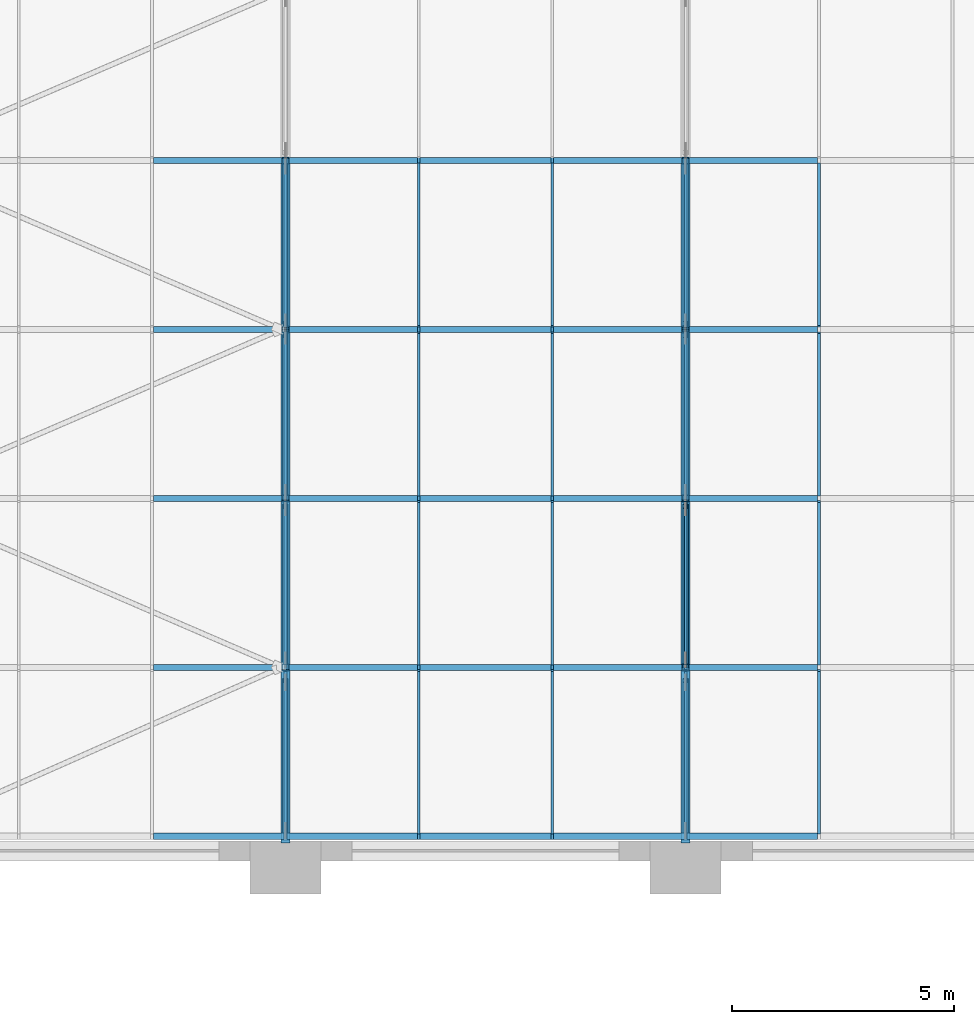
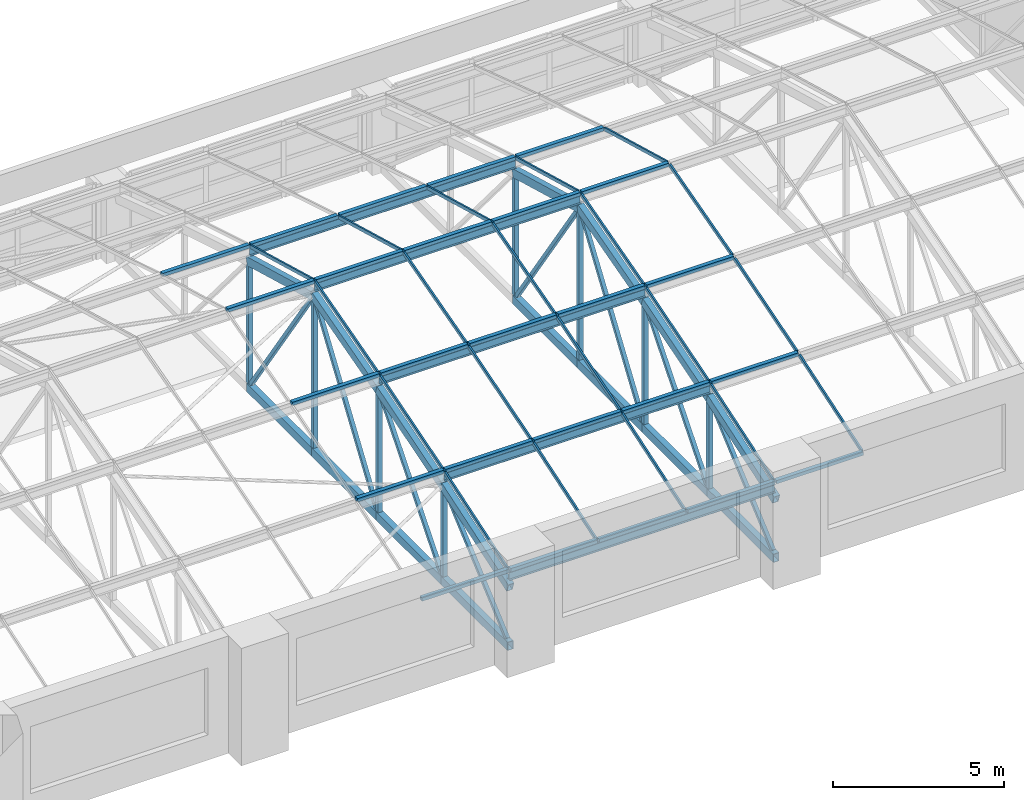
# One storey, part 18 of 82: 82 members, 1 element without a shape of its own.
"""IFC4 building model written with IfcOpenShell, lengths in metres."""

import ifcopenshell
import ifcopenshell.guid

model = None  # the IFC model being written
_history = None  # IfcOwnerHistory: only IFC2X3 demands one
_inside = {}  # id of a spatial element -> (the spatial element, [elements in it])
_under = {}  # id of a project, library or spatial element -> (it, [spatial elements below it])
_declared = {}  # id of a project -> (the project, [libraries it declares])
_typed = {}  # id of a type object -> (the type object, [elements of that type])
_made_of = {}  # id of a material, layer set ... -> (it, [elements and type objects made of it])


def new_model(schema):
    """Start an empty IFC model of exactly this schema.

    Asked for "IFC4X3", IfcOpenShell would pick the latest addendum, in which some entities
    have other attributes; the version numbers below select the first issue.
    IFC2X3 requires an IfcOwnerHistory on every rooted entity: one is made here for all.
    """
    global model, _history
    if schema == "IFC4X3":
        model = ifcopenshell.file(schema_version=(4, 3, 0, 0))
    else:
        model = ifcopenshell.file(schema=schema)
    _inside.clear()
    _under.clear()
    _declared.clear()
    _typed.clear()
    _made_of.clear()
    _history = None
    if model.schema == "IFC2X3":
        org = make("IfcOrganization", Name="unknown")
        user = make(
            "IfcPersonAndOrganization",
            ThePerson=make("IfcPerson", FamilyName="unknown"),
            TheOrganization=org,
        )
        app = make(
            "IfcApplication",
            ApplicationDeveloper=org,
            Version="unknown",
            ApplicationFullName="unknown",
            ApplicationIdentifier="unknown",
        )
        _history = make(
            "IfcOwnerHistory",
            OwningUser=user,
            OwningApplication=app,
            ChangeAction="ADDED",
            CreationDate=0,
        )
    return model


def make(cls, **values):
    """One entity of the class cls with the attributes given. An attribute that is None is left unset."""
    return model.create_entity(
        cls, **{name: value for name, value in values.items() if value is not None}
    )


def rooted(cls, **values):
    """An entity with a GlobalId (a new one), such as an element, a storey or a relation."""
    return make(cls, GlobalId=ifcopenshell.guid.new(), OwnerHistory=_history, **values)


def si_unit(unit_type, name, prefix=None):
    """IfcSIUnit, for example si_unit("LENGTHUNIT", "METRE", prefix="MILLI")."""
    return make("IfcSIUnit", UnitType=unit_type, Prefix=prefix, Name=name)


def assignment(units):
    """IfcUnitAssignment: the units of a project."""
    return None if units is None else make("IfcUnitAssignment", Units=units)


def point(xyz):
    """IfcCartesianPoint."""
    return None if xyz is None else make("IfcCartesianPoint", Coordinates=xyz)


def direction(xyz):
    """IfcDirection."""
    return None if xyz is None else make("IfcDirection", DirectionRatios=xyz)


def frame(location, z_axis=None, x_axis=None):
    """IfcAxis2Placement3D, a coordinate frame: its origin and axes. An axis left out is left unset."""
    return make(
        "IfcAxis2Placement3D",
        Location=point(location),
        Axis=direction(z_axis),
        RefDirection=direction(x_axis),
    )


def frame_2d(location, x_axis=None):
    """IfcAxis2Placement2D, a coordinate frame in the plane: its origin and x axis."""
    return make(
        "IfcAxis2Placement2D", Location=point(location), RefDirection=direction(x_axis)
    )


def origin():
    """The frame at (0, 0, 0) with its axes left unset."""
    return frame((0.0, 0.0, 0.0))


def origin_2d():
    """The frame at (0, 0) in the plane with its x axis left unset."""
    return frame_2d((0.0, 0.0))


def place(relative_to, where):
    """IfcLocalPlacement: puts the frame where relative to a parent placement (None: the world)."""
    return make(
        "IfcLocalPlacement", PlacementRelTo=relative_to, RelativePlacement=where
    )


def context(
    kind, dimensions, precision=None, world=None, true_north=None, identifier=None
):
    """IfcGeometricRepresentationContext, for example the 3D "Model" context."""
    return make(
        "IfcGeometricRepresentationContext",
        ContextIdentifier=identifier,
        ContextType=kind,
        CoordinateSpaceDimension=dimensions,
        Precision=precision,
        WorldCoordinateSystem=world,
        TrueNorth=true_north,
    )


def subcontext(parent, identifier, kind, view, scale=None):
    """IfcGeometricRepresentationSubContext, for example "Body" below "Model"."""
    return make(
        "IfcGeometricRepresentationSubContext",
        ContextIdentifier=identifier,
        ContextType=kind,
        ParentContext=parent,
        TargetScale=scale,
        TargetView=view,
    )


def project(units=None, contexts=None):
    """IfcProject with its units and contexts."""
    return rooted(
        "IfcProject",
        Name="project",
        RepresentationContexts=contexts,
        UnitsInContext=assignment(units),
    )


def spatial(cls, under=None, at=None, **own):
    """A site, building, storey or space (cls), placed at a placement, below another one or the project."""
    s = rooted(cls, ObjectPlacement=at, **own)
    if under is not None:
        _under.setdefault(under.id(), (under, []))[1].append(s)
    return s


def profile(cls, at=None, kind="AREA", **sizes):
    """A parametric profile (cls). Its sizes go by their IFC names, for example OverallWidth=200.0."""
    return make(cls, ProfileType=kind, Position=at, **sizes)


def rectangle(**sizes):
    """IfcRectangleProfileDef."""
    return profile("IfcRectangleProfileDef", **sizes)


def hollow_rectangle(**sizes):
    """IfcRectangleHollowProfileDef."""
    return profile("IfcRectangleHollowProfileDef", **sizes)


def i_section(**sizes):
    """IfcIShapeProfileDef."""
    return profile("IfcIShapeProfileDef", **sizes)


def extrude(swept, where, along, depth):
    """IfcExtrudedAreaSolid: the profile swept, set in the frame where, extruded along a direction by depth."""
    return make(
        "IfcExtrudedAreaSolid",
        SweptArea=swept,
        Position=where,
        ExtrudedDirection=direction(along),
        Depth=depth,
    )


def shape(context_of_items, identifier, shape_type, items):
    """IfcShapeRepresentation: the items that make up one representation, for example the "Body"."""
    return make(
        "IfcShapeRepresentation",
        ContextOfItems=context_of_items,
        RepresentationIdentifier=identifier,
        RepresentationType=shape_type,
        Items=items,
    )


def material(Name=None, Category=None):
    """IfcMaterial."""
    return make("IfcMaterial", Name=Name, Category=Category)


def material_profile(
    of_material, cross_section, Name=None, Category=None, Priority=None
):
    """IfcMaterialProfile: a cross section and its material."""
    return make(
        "IfcMaterialProfile",
        Name=Name,
        Material=of_material,
        Profile=cross_section,
        Priority=Priority,
        Category=Category,
    )


def profile_set(profiles, Name=None, composite=None):
    """IfcMaterialProfileSet."""
    return make(
        "IfcMaterialProfileSet",
        Name=Name,
        MaterialProfiles=profiles,
        CompositeProfile=composite,
    )


def made_of(thing, what):
    """Note that an element or type object is made of a material, layer set ...; save() writes the relation."""
    if what is not None:
        _made_of.setdefault(what.id(), (what, []))[1].append(thing)
    return thing


def type_object(cls, material=None, **own):
    """A type object (cls), such as IfcWallType, which elements share."""
    return made_of(rooted(cls, **own), material)


def element(
    cls,
    number,
    at=None,
    inside=None,
    cuts=None,
    type_object=None,
    material=None,
    context=None,
    identifier="Body",
    shape_type=None,
    held_by="IfcProductDefinitionShape",
    body=None,
    shapes=None,
    **own,
):
    """One element of the class cls, such as IfcWall. Its Tag is "e" and its number.

    at: its placement. inside: the storey or other place that contains it. cuts: it is an
    opening in that element (IfcRelVoidsElement). A single representation is given by context,
    identifier, shape_type and body (its items); several are given by shapes. held_by: the class
    of the entity that holds the representations. save() writes the other relations.
    """
    e = rooted(cls, Tag="e%d" % number, ObjectPlacement=at, **own)
    if body is not None:
        shapes = [shape(context, identifier, shape_type, body)]
    if shapes is not None:
        e.Representation = make(held_by, Representations=shapes)
    if inside is not None:
        _inside.setdefault(inside.id(), (inside, []))[1].append(e)
    if cuts is not None:
        rooted(
            "IfcRelVoidsElement", RelatingBuildingElement=cuts, RelatedOpeningElement=e
        )
    if type_object is not None:
        _typed.setdefault(type_object.id(), (type_object, []))[1].append(e)
    return made_of(e, material)


def aggregate(whole, parts):
    """IfcRelAggregates: a whole, such as a stair, and the parts it consists of."""
    return rooted("IfcRelAggregates", RelatingObject=whole, RelatedObjects=parts)


def save(model, path):
    """Write the relations noted so far, then the file.

    IfcRelAggregates (storeys below a building ...), IfcRelContainedInSpatialStructure (elements
    in a storey), IfcRelDefinesByType, IfcRelAssociatesMaterial and IfcRelDeclares: one each for
    every whole, place, type object, material and project.
    """
    for whole, parts in _under.values():
        aggregate(whole, parts)
    for where, things in _inside.values():
        rooted(
            "IfcRelContainedInSpatialStructure",
            RelatedElements=things,
            RelatingStructure=where,
        )
    for kind, things in _typed.values():
        rooted("IfcRelDefinesByType", RelatedObjects=things, RelatingType=kind)
    for what, things in _made_of.values():
        rooted("IfcRelAssociatesMaterial", RelatedObjects=things, RelatingMaterial=what)
    for by, libraries in _declared.values():
        rooted("IfcRelDeclares", RelatingContext=by, RelatedDefinitions=libraries)
    model.write(path)


model = new_model("IFC4")

# Units and contexts
model_context = context("Model", 3, precision=1e-05, world=origin(), true_north=direction((0.0, 1.0)))
body_context = subcontext(model_context, "Body", "Model", "MODEL_VIEW")
ifc_project = project(units=[si_unit("LENGTHUNIT", "METRE"), si_unit("AREAUNIT", "SQUARE_METRE"), si_unit("VOLUMEUNIT", "CUBIC_METRE"), si_unit("PLANEANGLEUNIT", "RADIAN"), si_unit("MASSUNIT", "GRAM", prefix="KILO")], contexts=[model_context])

# Site, building, storey
site_placement = place(None, origin())
site = spatial("IfcSite", under=ifc_project, at=site_placement, CompositionType="ELEMENT")
building_placement = place(site_placement, origin())
building = spatial("IfcBuilding", under=site, at=building_placement, Name="Aravalli Gate Trade Fair Centre", CompositionType="ELEMENT")
storey_placement = place(building_placement, frame((0.0, 0.0, 19.199951171875)))
storey = spatial("IfcBuildingStorey", under=building, at=storey_placement, Name="L04", CompositionType="ELEMENT", Elevation=19.199951171875)

# Members
ifc_material_1 = material(Name="Steel E350", Category="steel")
ifc_material_profile_1 = material_profile(ifc_material_1, i_section(OverallWidth=0.139892578125, OverallDepth=0.300048828125, WebThickness=0.0078125, FlangeThickness=0.01318359375, at=origin_2d()), Name="ISMB 300")
ifc_profile_set_1 = profile_set([ifc_material_profile_1], Name="Steel E350")
member_type_1 = type_object("IfcMemberType", Name="ISMB 300 roof purlin", PredefinedType="PURLIN", material=ifc_profile_set_1)
for number, where, z_axis, x_axis, name in (
    (1, (78.0, 109.699951171875, 2.60302734375), (1.0, 0.0, 0.0), (0.0, 1.0, 0.0), "Vault purlin 09-10 F0"),
    (2, (78.0, 113.5, 3.851318359375), (1.0, 0.0, 0.0), (0.0, 1.0, 0.0), "Vault purlin 09-10 F1"),
    (3, (78.0, 117.300048828125, 4.999267578125), (1.0, 0.0, 0.0), (0.0, 1.0, 0.0), "Vault purlin 09-10 F2"),
    (4, (78.0, 121.10009765625, 6.030029296875), (1.0, 0.0, 0.0), (0.0, 1.0, 0.0), "Vault purlin 09-10 F3"),
    (5, (78.0, 124.89990234375, 4.999267578125), (1.0, 0.0, 0.0), (0.0, 1.0, 0.0), "Vault purlin 09-10 F4"),
):
    element("IfcMember", number, at=place(storey_placement, frame(where, z_axis=z_axis, x_axis=x_axis)), inside=storey, type_object=member_type_1, Name=name, PredefinedType="PURLIN", context=body_context, shape_type="SweptSolid", body=[
        extrude(i_section(OverallWidth=0.139892578125, OverallDepth=0.300048828125, WebThickness=0.0078125, FlangeThickness=0.01318359375, at=origin_2d()), origin(), (0.0, 0.0, 1.0), 9.0),
    ])
ifc_material_profile_2 = material_profile(ifc_material_1, hollow_rectangle(XDim=0.199951171875, YDim=0.300048828125, WallThickness=0.011962890625, at=origin_2d()), Name="RHS 300x200x12")
ifc_profile_set_2 = profile_set([ifc_material_profile_2], Name="Steel E350")
member_type_2 = type_object("IfcMemberType", Name="RHS 300x200x12 CT1 truss chord", PredefinedType="CHORD", material=ifc_profile_set_2)
member_1_placement = place(storey_placement, frame((78.0, 109.60009765625, 2.2392578125), z_axis=(0.0, 0.949918822061, 0.312496770373), x_axis=(-1.0, 0.0, 0.0)))
element("IfcMember", 6, at=member_1_placement, inside=storey, type_object=member_type_2, Name="Concourse vault truss CT1 line 09 top chord T1", PredefinedType="CHORD", context=body_context, shape_type="SweptSolid", body=[
    extrude(hollow_rectangle(XDim=0.199951171875, YDim=0.300048828125, WallThickness=0.011962890625, at=origin_2d()), origin(), (0.0, 0.0, 1.0), 4.10546875),
])
member_2_placement = place(storey_placement, frame((78.0, 109.60009765625, 0.150146484375), z_axis=(0.0, 1.0, 0.0), x_axis=(-1.0, 0.0, 0.0)))
element("IfcMember", 7, at=member_2_placement, inside=storey, type_object=member_type_2, Name="Concourse vault truss CT1 line 09 bottom chord B1", PredefinedType="CHORD", context=body_context, shape_type="SweptSolid", body=[
    extrude(hollow_rectangle(XDim=0.199951171875, YDim=0.300048828125, WallThickness=0.011962890625, at=origin_2d()), origin(), (0.0, 0.0, 1.0), 3.89990234375),
])
member_3_placement = place(storey_placement, frame((78.0, 113.5, 3.5234375), z_axis=(0.0, 0.957138110877, 0.289631898634), x_axis=(-1.0, 0.0, 0.0)))
element("IfcMember", 8, at=member_3_placement, inside=storey, type_object=member_type_2, Name="Concourse vault truss CT1 line 09 top chord T2", PredefinedType="CHORD", context=body_context, shape_type="SweptSolid", body=[
    extrude(hollow_rectangle(XDim=0.199951171875, YDim=0.300048828125, WallThickness=0.011962890625, at=origin_2d()), origin(), (0.0, 0.0, 1.0), 3.97021484375),
])
member_4_placement = place(storey_placement, frame((78.0, 113.5, 0.150146484375), z_axis=(0.0, 1.0, 0.0), x_axis=(-1.0, 0.0, 0.0)))
element("IfcMember", 9, at=member_4_placement, inside=storey, type_object=member_type_2, Name="Concourse vault truss CT1 line 09 bottom chord B2", PredefinedType="CHORD", context=body_context, shape_type="SweptSolid", body=[
    extrude(hollow_rectangle(XDim=0.199951171875, YDim=0.300048828125, WallThickness=0.011962890625, at=origin_2d()), origin(), (0.0, 0.0, 1.0), 3.800048828125),
])
member_5_placement = place(storey_placement, frame((78.0, 117.300048828125, 4.674560546875), z_axis=(0.0, 0.963894016224, 0.266286172166), x_axis=(-1.0, 0.0, 0.0)))
element("IfcMember", 10, at=member_5_placement, inside=storey, type_object=member_type_2, Name="Concourse vault truss CT1 line 09 top chord T3", PredefinedType="CHORD", context=body_context, shape_type="SweptSolid", body=[
    extrude(hollow_rectangle(XDim=0.199951171875, YDim=0.300048828125, WallThickness=0.011962890625, at=origin_2d()), origin(), (0.0, 0.0, 1.0), 3.9423828125),
])
member_6_placement = place(storey_placement, frame((78.0, 117.300048828125, 0.150146484375), z_axis=(0.0, 1.0, 0.0), x_axis=(-1.0, 0.0, 0.0)))
element("IfcMember", 11, at=member_6_placement, inside=storey, type_object=member_type_2, Name="Concourse vault truss CT1 line 09 bottom chord B3", PredefinedType="CHORD", context=body_context, shape_type="SweptSolid", body=[
    extrude(hollow_rectangle(XDim=0.199951171875, YDim=0.300048828125, WallThickness=0.011962890625, at=origin_2d()), origin(), (0.0, 0.0, 1.0), 3.800048828125),
])
member_7_placement = place(storey_placement, frame((78.0, 121.10009765625, 5.724365234375), z_axis=(0.0, 0.96388962469, -0.266302067988), x_axis=(-1.0, 0.0, 0.0)))
element("IfcMember", 12, at=member_7_placement, inside=storey, type_object=member_type_2, Name="Concourse vault truss CT1 line 09 top chord T4", PredefinedType="CHORD", context=body_context, shape_type="SweptSolid", body=[
    extrude(hollow_rectangle(XDim=0.199951171875, YDim=0.300048828125, WallThickness=0.011962890625, at=origin_2d()), origin(), (0.0, 0.0, 1.0), 3.942138671875),
])
member_8_placement = place(storey_placement, frame((78.0, 121.10009765625, 0.150146484375), z_axis=(0.0, 1.0, 0.0), x_axis=(-1.0, 0.0, 0.0)))
element("IfcMember", 13, at=member_8_placement, inside=storey, type_object=member_type_2, Name="Concourse vault truss CT1 line 09 bottom chord B4", PredefinedType="CHORD", context=body_context, shape_type="SweptSolid", body=[
    extrude(hollow_rectangle(XDim=0.199951171875, YDim=0.300048828125, WallThickness=0.011962890625, at=origin_2d()), origin(), (0.0, 0.0, 1.0), 3.7998046875),
])
member_9_placement = place(storey_placement, frame((87.0, 109.60009765625, 2.2392578125), z_axis=(0.0, 0.949918822061, 0.312496770373), x_axis=(-1.0, 0.0, 0.0)))
element("IfcMember", 14, at=member_9_placement, inside=storey, type_object=member_type_2, Name="Concourse vault truss CT1 line 10 top chord T1", PredefinedType="CHORD", context=body_context, shape_type="SweptSolid", body=[
    extrude(hollow_rectangle(XDim=0.199951171875, YDim=0.300048828125, WallThickness=0.011962890625, at=origin_2d()), origin(), (0.0, 0.0, 1.0), 4.10546875),
])
member_10_placement = place(storey_placement, frame((87.0, 109.60009765625, 0.150146484375), z_axis=(0.0, 1.0, 0.0), x_axis=(-1.0, 0.0, 0.0)))
element("IfcMember", 15, at=member_10_placement, inside=storey, type_object=member_type_2, Name="Concourse vault truss CT1 line 10 bottom chord B1", PredefinedType="CHORD", context=body_context, shape_type="SweptSolid", body=[
    extrude(hollow_rectangle(XDim=0.199951171875, YDim=0.300048828125, WallThickness=0.011962890625, at=origin_2d()), origin(), (0.0, 0.0, 1.0), 3.89990234375),
])
member_11_placement = place(storey_placement, frame((87.0, 113.5, 3.5234375), z_axis=(0.0, 0.957138110877, 0.289631898634), x_axis=(-1.0, 0.0, 0.0)))
element("IfcMember", 16, at=member_11_placement, inside=storey, type_object=member_type_2, Name="Concourse vault truss CT1 line 10 top chord T2", PredefinedType="CHORD", context=body_context, shape_type="SweptSolid", body=[
    extrude(hollow_rectangle(XDim=0.199951171875, YDim=0.300048828125, WallThickness=0.011962890625, at=origin_2d()), origin(), (0.0, 0.0, 1.0), 3.97021484375),
])
member_12_placement = place(storey_placement, frame((87.0, 113.5, 0.150146484375), z_axis=(0.0, 1.0, 0.0), x_axis=(-1.0, 0.0, 0.0)))
element("IfcMember", 17, at=member_12_placement, inside=storey, type_object=member_type_2, Name="Concourse vault truss CT1 line 10 bottom chord B2", PredefinedType="CHORD", context=body_context, shape_type="SweptSolid", body=[
    extrude(hollow_rectangle(XDim=0.199951171875, YDim=0.300048828125, WallThickness=0.011962890625, at=origin_2d()), origin(), (0.0, 0.0, 1.0), 3.800048828125),
])
member_13_placement = place(storey_placement, frame((87.0, 117.300048828125, 4.674560546875), z_axis=(0.0, 0.963894016224, 0.266286172166), x_axis=(-1.0, 0.0, 0.0)))
element("IfcMember", 18, at=member_13_placement, inside=storey, type_object=member_type_2, Name="Concourse vault truss CT1 line 10 top chord T3", PredefinedType="CHORD", context=body_context, shape_type="SweptSolid", body=[
    extrude(hollow_rectangle(XDim=0.199951171875, YDim=0.300048828125, WallThickness=0.011962890625, at=origin_2d()), origin(), (0.0, 0.0, 1.0), 3.9423828125),
])
member_14_placement = place(storey_placement, frame((87.0, 117.300048828125, 0.150146484375), z_axis=(0.0, 1.0, 0.0), x_axis=(-1.0, 0.0, 0.0)))
element("IfcMember", 19, at=member_14_placement, inside=storey, type_object=member_type_2, Name="Concourse vault truss CT1 line 10 bottom chord B3", PredefinedType="CHORD", context=body_context, shape_type="SweptSolid", body=[
    extrude(hollow_rectangle(XDim=0.199951171875, YDim=0.300048828125, WallThickness=0.011962890625, at=origin_2d()), origin(), (0.0, 0.0, 1.0), 3.800048828125),
])
member_15_placement = place(storey_placement, frame((87.0, 121.10009765625, 5.724365234375), z_axis=(0.0, 0.96388962469, -0.266302067988), x_axis=(-1.0, 0.0, 0.0)))
element("IfcMember", 20, at=member_15_placement, inside=storey, type_object=member_type_2, Name="Concourse vault truss CT1 line 10 top chord T4", PredefinedType="CHORD", context=body_context, shape_type="SweptSolid", body=[
    extrude(hollow_rectangle(XDim=0.199951171875, YDim=0.300048828125, WallThickness=0.011962890625, at=origin_2d()), origin(), (0.0, 0.0, 1.0), 3.942138671875),
])
member_16_placement = place(storey_placement, frame((87.0, 121.10009765625, 0.150146484375), z_axis=(0.0, 1.0, 0.0), x_axis=(-1.0, 0.0, 0.0)))
element("IfcMember", 21, at=member_16_placement, inside=storey, type_object=member_type_2, Name="Concourse vault truss CT1 line 10 bottom chord B4", PredefinedType="CHORD", context=body_context, shape_type="SweptSolid", body=[
    extrude(hollow_rectangle(XDim=0.199951171875, YDim=0.300048828125, WallThickness=0.011962890625, at=origin_2d()), origin(), (0.0, 0.0, 1.0), 3.7998046875),
])
ifc_material_profile_3 = material_profile(ifc_material_1, hollow_rectangle(XDim=0.125, YDim=0.125, WallThickness=0.006103515625, at=origin_2d()), Name="SHS 125x125x6")
ifc_profile_set_3 = profile_set([ifc_material_profile_3], Name="Steel E350")
member_type_3 = type_object("IfcMemberType", Name="SHS 125x125x6 CT1 truss diagonal", PredefinedType="BRACE", material=ifc_profile_set_3)
member_17_placement = place(storey_placement, frame((78.0, 109.7734375, 0.300048828125), z_axis=(0.0, 0.756430814482, 0.654073713661), x_axis=(-1.0, 0.0, 0.0)))
element("IfcMember", 22, at=member_17_placement, inside=storey, type_object=member_type_3, Name="Concourse vault truss CT1 line 09 diagonal D1", PredefinedType="BRACE", context=body_context, shape_type="SweptSolid", body=[
    extrude(hollow_rectangle(XDim=0.125, YDim=0.125, WallThickness=0.006103515625, at=origin_2d()), origin(), (0.0, 0.0, 1.0), 4.53662109375),
])
member_18_placement = place(storey_placement, frame((78.0, 113.6259765625, 0.300048828125), z_axis=(0.0, 0.643253159982, 0.765653558845), x_axis=(-1.0, 0.0, 0.0)))
element("IfcMember", 23, at=member_18_placement, inside=storey, type_object=member_type_3, Name="Concourse vault truss CT1 line 09 diagonal D2", PredefinedType="BRACE", context=body_context, shape_type="SweptSolid", body=[
    extrude(hollow_rectangle(XDim=0.125, YDim=0.125, WallThickness=0.006103515625, at=origin_2d()), origin(), (0.0, 0.0, 1.0), 5.437255859375),
])
for number, where, z_axis, x_axis, name in (
    (24, (78.0, 117.40234375, 0.300048828125), (0.0, 0.5632471019, 0.826288510268), (-1.0, 0.0, 0.0), "Concourse vault truss CT1 line 09 diagonal D3"),
    (25, (78.0, 121.230712890625, 5.53271484375), (0.0, 0.5632471019, -0.826288510268), (-1.0, 0.0, 0.0), "Concourse vault truss CT1 line 09 diagonal D4"),
):
    element("IfcMember", number, at=place(storey_placement, frame(where, z_axis=z_axis, x_axis=x_axis)), inside=storey, type_object=member_type_3, Name=name, PredefinedType="BRACE", context=body_context, shape_type="SweptSolid", body=[
        extrude(hollow_rectangle(XDim=0.125, YDim=0.125, WallThickness=0.006103515625, at=origin_2d()), origin(), (0.0, 0.0, 1.0), 6.332763671875),
    ])
member_19_placement = place(storey_placement, frame((87.0, 109.7734375, 0.300048828125), z_axis=(0.0, 0.756430814482, 0.654073713661), x_axis=(-1.0, 0.0, 0.0)))
element("IfcMember", 26, at=member_19_placement, inside=storey, type_object=member_type_3, Name="Concourse vault truss CT1 line 10 diagonal D1", PredefinedType="BRACE", context=body_context, shape_type="SweptSolid", body=[
    extrude(hollow_rectangle(XDim=0.125, YDim=0.125, WallThickness=0.006103515625, at=origin_2d()), origin(), (0.0, 0.0, 1.0), 4.53662109375),
])
member_20_placement = place(storey_placement, frame((87.0, 113.6259765625, 0.300048828125), z_axis=(0.0, 0.643253159982, 0.765653558845), x_axis=(-1.0, 0.0, 0.0)))
element("IfcMember", 27, at=member_20_placement, inside=storey, type_object=member_type_3, Name="Concourse vault truss CT1 line 10 diagonal D2", PredefinedType="BRACE", context=body_context, shape_type="SweptSolid", body=[
    extrude(hollow_rectangle(XDim=0.125, YDim=0.125, WallThickness=0.006103515625, at=origin_2d()), origin(), (0.0, 0.0, 1.0), 5.437255859375),
])
for number, where, z_axis, x_axis, name in (
    (28, (87.0, 117.40234375, 0.300048828125), (0.0, 0.5632471019, 0.826288510268), (-1.0, 0.0, 0.0), "Concourse vault truss CT1 line 10 diagonal D3"),
    (29, (87.0, 121.230712890625, 5.53271484375), (0.0, 0.5632471019, -0.826288510268), (-1.0, 0.0, 0.0), "Concourse vault truss CT1 line 10 diagonal D4"),
):
    element("IfcMember", number, at=place(storey_placement, frame(where, z_axis=z_axis, x_axis=x_axis)), inside=storey, type_object=member_type_3, Name=name, PredefinedType="BRACE", context=body_context, shape_type="SweptSolid", body=[
        extrude(hollow_rectangle(XDim=0.125, YDim=0.125, WallThickness=0.006103515625, at=origin_2d()), origin(), (0.0, 0.0, 1.0), 6.332763671875),
    ])
ifc_material_profile_4 = material_profile(ifc_material_1, hollow_rectangle(XDim=0.14990234375, YDim=0.14990234375, WallThickness=0.006103515625, at=origin_2d()), Name="SHS 150x150x6")
ifc_profile_set_4 = profile_set([ifc_material_profile_4], Name="Steel E350")
member_type_4 = type_object("IfcMemberType", Name="SHS 150x150x6 CT1 truss post", PredefinedType="POST", material=ifc_profile_set_4)
member_21_placement = place(storey_placement, frame((78.0, 113.5, 0.300048828125), z_axis=(0.0, 0.0, 1.0), x_axis=(1.0, 0.0, 0.0)))
element("IfcMember", 30, at=member_21_placement, inside=storey, type_object=member_type_4, Name="Concourse vault truss CT1 line 09 post V1", PredefinedType="POST", context=body_context, shape_type="SweptSolid", body=[
    extrude(hollow_rectangle(XDim=0.14990234375, YDim=0.14990234375, WallThickness=0.006103515625, at=origin_2d()), origin(), (0.0, 0.0, 1.0), 3.064208984375),
])
member_22_placement = place(storey_placement, frame((78.0, 117.300048828125, 0.300048828125), z_axis=(0.0, 0.0, 1.0), x_axis=(1.0, 0.0, 0.0)))
element("IfcMember", 31, at=member_22_placement, inside=storey, type_object=member_type_4, Name="Concourse vault truss CT1 line 09 post V2", PredefinedType="POST", context=body_context, shape_type="SweptSolid", body=[
    extrude(hollow_rectangle(XDim=0.14990234375, YDim=0.14990234375, WallThickness=0.006103515625, at=origin_2d()), origin(), (0.0, 0.0, 1.0), 4.216552734375),
])
member_23_placement = place(storey_placement, frame((78.0, 121.10009765625, 0.300048828125), z_axis=(0.0, 0.0, 1.0), x_axis=(1.0, 0.0, 0.0)))
element("IfcMember", 32, at=member_23_placement, inside=storey, type_object=member_type_4, Name="Concourse vault truss CT1 line 09 post V3", PredefinedType="POST", context=body_context, shape_type="SweptSolid", body=[
    extrude(hollow_rectangle(XDim=0.14990234375, YDim=0.14990234375, WallThickness=0.006103515625, at=origin_2d()), origin(), (0.0, 0.0, 1.0), 5.268798828125),
])
member_24_placement = place(storey_placement, frame((78.0, 124.89990234375, 0.300048828125), z_axis=(0.0, 0.0, 1.0), x_axis=(1.0, 0.0, 0.0)))
element("IfcMember", 33, at=member_24_placement, inside=storey, type_object=member_type_4, Name="Concourse vault truss CT1 line 09 post V4", PredefinedType="POST", context=body_context, shape_type="SweptSolid", body=[
    extrude(hollow_rectangle(XDim=0.14990234375, YDim=0.14990234375, WallThickness=0.006103515625, at=origin_2d()), origin(), (0.0, 0.0, 1.0), 4.216552734375),
])
member_25_placement = place(storey_placement, frame((87.0, 113.5, 0.300048828125), z_axis=(0.0, 0.0, 1.0), x_axis=(1.0, 0.0, 0.0)))
element("IfcMember", 34, at=member_25_placement, inside=storey, type_object=member_type_4, Name="Concourse vault truss CT1 line 10 post V1", PredefinedType="POST", context=body_context, shape_type="SweptSolid", body=[
    extrude(hollow_rectangle(XDim=0.14990234375, YDim=0.14990234375, WallThickness=0.006103515625, at=origin_2d()), origin(), (0.0, 0.0, 1.0), 3.064208984375),
])
member_26_placement = place(storey_placement, frame((87.0, 117.300048828125, 0.300048828125), z_axis=(0.0, 0.0, 1.0), x_axis=(1.0, 0.0, 0.0)))
element("IfcMember", 35, at=member_26_placement, inside=storey, type_object=member_type_4, Name="Concourse vault truss CT1 line 10 post V2", PredefinedType="POST", context=body_context, shape_type="SweptSolid", body=[
    extrude(hollow_rectangle(XDim=0.14990234375, YDim=0.14990234375, WallThickness=0.006103515625, at=origin_2d()), origin(), (0.0, 0.0, 1.0), 4.216552734375),
])
member_27_placement = place(storey_placement, frame((87.0, 121.10009765625, 0.300048828125), z_axis=(0.0, 0.0, 1.0), x_axis=(1.0, 0.0, 0.0)))
element("IfcMember", 36, at=member_27_placement, inside=storey, type_object=member_type_4, Name="Concourse vault truss CT1 line 10 post V3", PredefinedType="POST", context=body_context, shape_type="SweptSolid", body=[
    extrude(hollow_rectangle(XDim=0.14990234375, YDim=0.14990234375, WallThickness=0.006103515625, at=origin_2d()), origin(), (0.0, 0.0, 1.0), 5.268798828125),
])
member_28_placement = place(storey_placement, frame((87.0, 124.89990234375, 0.300048828125), z_axis=(0.0, 0.0, 1.0), x_axis=(1.0, 0.0, 0.0)))
element("IfcMember", 37, at=member_28_placement, inside=storey, type_object=member_type_4, Name="Concourse vault truss CT1 line 10 post V4", PredefinedType="POST", context=body_context, shape_type="SweptSolid", body=[
    extrude(hollow_rectangle(XDim=0.14990234375, YDim=0.14990234375, WallThickness=0.006103515625, at=origin_2d()), origin(), (0.0, 0.0, 1.0), 4.216552734375),
])
ifc_material_2 = material(Name="Aluminium", Category="aluminium")
ifc_material_profile_5 = material_profile(ifc_material_2, rectangle(XDim=0.139892578125, YDim=0.1201171875, at=origin_2d()), Name="Vault fold cap 140 x 120")
ifc_profile_set_5 = profile_set([ifc_material_profile_5], Name="Aluminium")
member_type_5 = type_object("IfcMemberType", Name="Vault fold cap 140 x 120", PredefinedType="USERDEFINED", material=ifc_profile_set_5)
for number, where, z_axis, x_axis, name in (
    (38, (75.030029296875, 109.699951171875, 2.81298828125), (1.0, 0.0, 0.0), (0.0, 1.0, 0.0), "Vault fold cap w21.0"),
    (39, (75.030029296875, 113.5, 4.061279296875), (1.0, 0.0, 0.0), (0.0, 1.0, 0.0), "Vault fold cap w21.1"),
    (40, (75.030029296875, 117.300048828125, 5.209228515625), (1.0, 0.0, 0.0), (0.0, 1.0, 0.0), "Vault fold cap w21.2"),
    (41, (75.030029296875, 121.10009765625, 6.239990234375), (1.0, 0.0, 0.0), (0.0, 1.0, 0.0), "Vault fold cap w21.3"),
    (42, (75.030029296875, 124.89990234375, 5.209228515625), (1.0, 0.0, 0.0), (0.0, 1.0, 0.0), "Vault fold cap w21.4"),
    (43, (78.030029296875, 109.699951171875, 2.81298828125), (1.0, 0.0, 0.0), (0.0, 1.0, 0.0), "Vault fold cap w22.0"),
    (44, (78.030029296875, 113.5, 4.061279296875), (1.0, 0.0, 0.0), (0.0, 1.0, 0.0), "Vault fold cap w22.1"),
    (45, (78.030029296875, 117.300048828125, 5.209228515625), (1.0, 0.0, 0.0), (0.0, 1.0, 0.0), "Vault fold cap w22.2"),
    (46, (78.030029296875, 121.10009765625, 6.239990234375), (1.0, 0.0, 0.0), (0.0, 1.0, 0.0), "Vault fold cap w22.3"),
    (47, (78.030029296875, 124.89990234375, 5.209228515625), (1.0, 0.0, 0.0), (0.0, 1.0, 0.0), "Vault fold cap w22.4"),
    (48, (81.030029296875, 109.699951171875, 2.81298828125), (1.0, 0.0, 0.0), (0.0, 1.0, 0.0), "Vault fold cap w23.0"),
    (49, (81.030029296875, 113.5, 4.061279296875), (1.0, 0.0, 0.0), (0.0, 1.0, 0.0), "Vault fold cap w23.1"),
    (50, (81.030029296875, 117.300048828125, 5.209228515625), (1.0, 0.0, 0.0), (0.0, 1.0, 0.0), "Vault fold cap w23.2"),
    (51, (81.030029296875, 121.10009765625, 6.239990234375), (1.0, 0.0, 0.0), (0.0, 1.0, 0.0), "Vault fold cap w23.3"),
    (52, (81.030029296875, 124.89990234375, 5.209228515625), (1.0, 0.0, 0.0), (0.0, 1.0, 0.0), "Vault fold cap w23.4"),
    (53, (84.030029296875, 109.699951171875, 2.81298828125), (1.0, 0.0, 0.0), (0.0, 1.0, 0.0), "Vault fold cap w24.0"),
    (54, (84.030029296875, 113.5, 4.061279296875), (1.0, 0.0, 0.0), (0.0, 1.0, 0.0), "Vault fold cap w24.1"),
    (55, (84.030029296875, 117.300048828125, 5.209228515625), (1.0, 0.0, 0.0), (0.0, 1.0, 0.0), "Vault fold cap w24.2"),
    (56, (84.030029296875, 121.10009765625, 6.239990234375), (1.0, 0.0, 0.0), (0.0, 1.0, 0.0), "Vault fold cap w24.3"),
    (57, (84.030029296875, 124.89990234375, 5.209228515625), (1.0, 0.0, 0.0), (0.0, 1.0, 0.0), "Vault fold cap w24.4"),
    (58, (87.030029296875, 109.699951171875, 2.81298828125), (1.0, 0.0, 0.0), (0.0, 1.0, 0.0), "Vault fold cap w25.0"),
    (59, (87.030029296875, 113.5, 4.061279296875), (1.0, 0.0, 0.0), (0.0, 1.0, 0.0), "Vault fold cap w25.1"),
    (60, (87.030029296875, 117.300048828125, 5.209228515625), (1.0, 0.0, 0.0), (0.0, 1.0, 0.0), "Vault fold cap w25.2"),
    (61, (87.030029296875, 121.10009765625, 6.239990234375), (1.0, 0.0, 0.0), (0.0, 1.0, 0.0), "Vault fold cap w25.3"),
    (62, (87.030029296875, 124.89990234375, 5.209228515625), (1.0, 0.0, 0.0), (0.0, 1.0, 0.0), "Vault fold cap w25.4"),
):
    element("IfcMember", number, at=place(storey_placement, frame(where, z_axis=z_axis, x_axis=x_axis)), inside=storey, type_object=member_type_5, Name=name, ObjectType="FOLD CAP", PredefinedType="USERDEFINED", context=body_context, shape_type="SweptSolid", body=[
        extrude(rectangle(XDim=0.139892578125, YDim=0.1201171875, at=origin_2d()), origin(), (0.0, 0.0, 1.0), 2.93994140625),
    ])

# Curtain wall, members
ifc_material_3 = material(Name="Aluminium and glass", Category="aluminium")
curtain_wall_type = type_object("IfcCurtainWallType", Name="Vault curtain wall, sloped glazing", PredefinedType="NOTDEFINED", material=ifc_material_3)
curtain_wall_placement = place(storey_placement, origin())
curtain_wall = element("IfcCurtainWall", 63, at=curtain_wall_placement, inside=storey, type_object=curtain_wall_type, Name="Vault curtain wall w", PredefinedType="NOTDEFINED")
ifc_material_profile_6 = material_profile(ifc_material_2, rectangle(XDim=0.06005859375, YDim=0.1201171875, at=origin_2d()), Name="Vault glazing bar 60 x 120")
ifc_profile_set_6 = profile_set([ifc_material_profile_6], Name="Aluminium")
member_type_6 = type_object("IfcMemberType", Name="Vault glazing bar 60 x 120", PredefinedType="USERDEFINED", material=ifc_profile_set_6)
member_29_placement = place(storey_placement, frame((78.0, 109.77001953125, 2.81005859375), z_axis=(0.0, 0.949930492103, 0.31246129388), x_axis=(-1.0, 0.0, 0.0)))
member_29 = element("IfcMember", 64, at=member_29_placement, type_object=member_type_6, Name="Vault glazing bar w22.1", ObjectType="GLAZING BAR", PredefinedType="USERDEFINED", context=body_context, shape_type="SweptSolid", body=[
    extrude(rectangle(XDim=0.06005859375, YDim=0.1201171875, at=origin_2d()), origin(), (0.0, 0.0, 1.0), 3.852783203125),
])
member_30_placement = place(storey_placement, frame((78.0, 113.570068359375, 4.05859375), z_axis=(0.0, 0.957125834694, 0.289672464279), x_axis=(-1.0, 0.0, 0.0)))
member_30 = element("IfcMember", 65, at=member_30_placement, type_object=member_type_6, Name="Vault glazing bar w22.2", ObjectType="GLAZING BAR", PredefinedType="USERDEFINED", context=body_context, shape_type="SweptSolid", body=[
    extrude(rectangle(XDim=0.06005859375, YDim=0.1201171875, at=origin_2d()), origin(), (0.0, 0.0, 1.0), 3.823974609375),
])
member_31_placement = place(storey_placement, frame((78.0, 117.3701171875, 5.20703125), z_axis=(0.0, 0.96386804037, 0.266380180859), x_axis=(-1.0, 0.0, 0.0)))
member_31 = element("IfcMember", 66, at=member_31_placement, type_object=member_type_6, Name="Vault glazing bar w22.3", ObjectType="GLAZING BAR", PredefinedType="USERDEFINED", context=body_context, shape_type="SweptSolid", body=[
    extrude(rectangle(XDim=0.06005859375, YDim=0.1201171875, at=origin_2d()), origin(), (0.0, 0.0, 1.0), 3.797119140625),
])
member_32_placement = place(storey_placement, frame((78.0, 121.169921875, 6.218505859375), z_axis=(0.0, 0.963872602318, -0.266363673386), x_axis=(-1.0, 0.0, 0.0)))
member_32 = element("IfcMember", 67, at=member_32_placement, type_object=member_type_6, Name="Vault glazing bar w22.4", ObjectType="GLAZING BAR", PredefinedType="USERDEFINED", context=body_context, shape_type="SweptSolid", body=[
    extrude(rectangle(XDim=0.06005859375, YDim=0.1201171875, at=origin_2d()), origin(), (0.0, 0.0, 1.0), 3.79736328125),
])
member_33_placement = place(storey_placement, frame((81.0, 109.77001953125, 2.81005859375), z_axis=(0.0, 0.949930492103, 0.31246129388), x_axis=(-1.0, 0.0, 0.0)))
member_33 = element("IfcMember", 68, at=member_33_placement, type_object=member_type_6, Name="Vault glazing bar w23.1", ObjectType="GLAZING BAR", PredefinedType="USERDEFINED", context=body_context, shape_type="SweptSolid", body=[
    extrude(rectangle(XDim=0.06005859375, YDim=0.1201171875, at=origin_2d()), origin(), (0.0, 0.0, 1.0), 3.852783203125),
])
member_34_placement = place(storey_placement, frame((81.0, 113.570068359375, 4.05859375), z_axis=(0.0, 0.957125834694, 0.289672464279), x_axis=(-1.0, 0.0, 0.0)))
member_34 = element("IfcMember", 69, at=member_34_placement, type_object=member_type_6, Name="Vault glazing bar w23.2", ObjectType="GLAZING BAR", PredefinedType="USERDEFINED", context=body_context, shape_type="SweptSolid", body=[
    extrude(rectangle(XDim=0.06005859375, YDim=0.1201171875, at=origin_2d()), origin(), (0.0, 0.0, 1.0), 3.823974609375),
])
member_35_placement = place(storey_placement, frame((81.0, 117.3701171875, 5.20703125), z_axis=(0.0, 0.96386804037, 0.266380180859), x_axis=(-1.0, 0.0, 0.0)))
member_35 = element("IfcMember", 70, at=member_35_placement, type_object=member_type_6, Name="Vault glazing bar w23.3", ObjectType="GLAZING BAR", PredefinedType="USERDEFINED", context=body_context, shape_type="SweptSolid", body=[
    extrude(rectangle(XDim=0.06005859375, YDim=0.1201171875, at=origin_2d()), origin(), (0.0, 0.0, 1.0), 3.797119140625),
])
member_36_placement = place(storey_placement, frame((81.0, 121.169921875, 6.218505859375), z_axis=(0.0, 0.963872602318, -0.266363673386), x_axis=(-1.0, 0.0, 0.0)))
member_36 = element("IfcMember", 71, at=member_36_placement, type_object=member_type_6, Name="Vault glazing bar w23.4", ObjectType="GLAZING BAR", PredefinedType="USERDEFINED", context=body_context, shape_type="SweptSolid", body=[
    extrude(rectangle(XDim=0.06005859375, YDim=0.1201171875, at=origin_2d()), origin(), (0.0, 0.0, 1.0), 3.79736328125),
])
member_37_placement = place(storey_placement, frame((84.0, 109.77001953125, 2.81005859375), z_axis=(0.0, 0.949930492103, 0.31246129388), x_axis=(-1.0, 0.0, 0.0)))
member_37 = element("IfcMember", 72, at=member_37_placement, type_object=member_type_6, Name="Vault glazing bar w24.1", ObjectType="GLAZING BAR", PredefinedType="USERDEFINED", context=body_context, shape_type="SweptSolid", body=[
    extrude(rectangle(XDim=0.06005859375, YDim=0.1201171875, at=origin_2d()), origin(), (0.0, 0.0, 1.0), 3.852783203125),
])
member_38_placement = place(storey_placement, frame((84.0, 113.570068359375, 4.05859375), z_axis=(0.0, 0.957125834694, 0.289672464279), x_axis=(-1.0, 0.0, 0.0)))
member_38 = element("IfcMember", 73, at=member_38_placement, type_object=member_type_6, Name="Vault glazing bar w24.2", ObjectType="GLAZING BAR", PredefinedType="USERDEFINED", context=body_context, shape_type="SweptSolid", body=[
    extrude(rectangle(XDim=0.06005859375, YDim=0.1201171875, at=origin_2d()), origin(), (0.0, 0.0, 1.0), 3.823974609375),
])
member_39_placement = place(storey_placement, frame((84.0, 117.3701171875, 5.20703125), z_axis=(0.0, 0.96386804037, 0.266380180859), x_axis=(-1.0, 0.0, 0.0)))
member_39 = element("IfcMember", 74, at=member_39_placement, type_object=member_type_6, Name="Vault glazing bar w24.3", ObjectType="GLAZING BAR", PredefinedType="USERDEFINED", context=body_context, shape_type="SweptSolid", body=[
    extrude(rectangle(XDim=0.06005859375, YDim=0.1201171875, at=origin_2d()), origin(), (0.0, 0.0, 1.0), 3.797119140625),
])
member_40_placement = place(storey_placement, frame((84.0, 121.169921875, 6.218505859375), z_axis=(0.0, 0.963872602318, -0.266363673386), x_axis=(-1.0, 0.0, 0.0)))
member_40 = element("IfcMember", 75, at=member_40_placement, type_object=member_type_6, Name="Vault glazing bar w24.4", ObjectType="GLAZING BAR", PredefinedType="USERDEFINED", context=body_context, shape_type="SweptSolid", body=[
    extrude(rectangle(XDim=0.06005859375, YDim=0.1201171875, at=origin_2d()), origin(), (0.0, 0.0, 1.0), 3.79736328125),
])
member_41_placement = place(storey_placement, frame((87.0, 109.77001953125, 2.81005859375), z_axis=(0.0, 0.949930492103, 0.31246129388), x_axis=(-1.0, 0.0, 0.0)))
member_41 = element("IfcMember", 76, at=member_41_placement, type_object=member_type_6, Name="Vault glazing bar w25.1", ObjectType="GLAZING BAR", PredefinedType="USERDEFINED", context=body_context, shape_type="SweptSolid", body=[
    extrude(rectangle(XDim=0.06005859375, YDim=0.1201171875, at=origin_2d()), origin(), (0.0, 0.0, 1.0), 3.852783203125),
])
member_42_placement = place(storey_placement, frame((87.0, 113.570068359375, 4.05859375), z_axis=(0.0, 0.957125834694, 0.289672464279), x_axis=(-1.0, 0.0, 0.0)))
member_42 = element("IfcMember", 77, at=member_42_placement, type_object=member_type_6, Name="Vault glazing bar w25.2", ObjectType="GLAZING BAR", PredefinedType="USERDEFINED", context=body_context, shape_type="SweptSolid", body=[
    extrude(rectangle(XDim=0.06005859375, YDim=0.1201171875, at=origin_2d()), origin(), (0.0, 0.0, 1.0), 3.823974609375),
])
member_43_placement = place(storey_placement, frame((87.0, 117.3701171875, 5.20703125), z_axis=(0.0, 0.96386804037, 0.266380180859), x_axis=(-1.0, 0.0, 0.0)))
member_43 = element("IfcMember", 78, at=member_43_placement, type_object=member_type_6, Name="Vault glazing bar w25.3", ObjectType="GLAZING BAR", PredefinedType="USERDEFINED", context=body_context, shape_type="SweptSolid", body=[
    extrude(rectangle(XDim=0.06005859375, YDim=0.1201171875, at=origin_2d()), origin(), (0.0, 0.0, 1.0), 3.797119140625),
])
member_44_placement = place(storey_placement, frame((87.0, 121.169921875, 6.218505859375), z_axis=(0.0, 0.963872602318, -0.266363673386), x_axis=(-1.0, 0.0, 0.0)))
member_44 = element("IfcMember", 79, at=member_44_placement, type_object=member_type_6, Name="Vault glazing bar w25.4", ObjectType="GLAZING BAR", PredefinedType="USERDEFINED", context=body_context, shape_type="SweptSolid", body=[
    extrude(rectangle(XDim=0.06005859375, YDim=0.1201171875, at=origin_2d()), origin(), (0.0, 0.0, 1.0), 3.79736328125),
])
member_45_placement = place(storey_placement, frame((90.0, 109.77001953125, 2.81005859375), z_axis=(0.0, 0.949930492103, 0.31246129388), x_axis=(-1.0, 0.0, 0.0)))
member_45 = element("IfcMember", 80, at=member_45_placement, type_object=member_type_6, Name="Vault glazing bar w26.1", ObjectType="GLAZING BAR", PredefinedType="USERDEFINED", context=body_context, shape_type="SweptSolid", body=[
    extrude(rectangle(XDim=0.06005859375, YDim=0.1201171875, at=origin_2d()), origin(), (0.0, 0.0, 1.0), 3.852783203125),
])
member_46_placement = place(storey_placement, frame((90.0, 113.570068359375, 4.05859375), z_axis=(0.0, 0.957125834694, 0.289672464279), x_axis=(-1.0, 0.0, 0.0)))
member_46 = element("IfcMember", 81, at=member_46_placement, type_object=member_type_6, Name="Vault glazing bar w26.2", ObjectType="GLAZING BAR", PredefinedType="USERDEFINED", context=body_context, shape_type="SweptSolid", body=[
    extrude(rectangle(XDim=0.06005859375, YDim=0.1201171875, at=origin_2d()), origin(), (0.0, 0.0, 1.0), 3.823974609375),
])
member_47_placement = place(storey_placement, frame((90.0, 117.3701171875, 5.20703125), z_axis=(0.0, 0.96386804037, 0.266380180859), x_axis=(-1.0, 0.0, 0.0)))
member_47 = element("IfcMember", 82, at=member_47_placement, type_object=member_type_6, Name="Vault glazing bar w26.3", ObjectType="GLAZING BAR", PredefinedType="USERDEFINED", context=body_context, shape_type="SweptSolid", body=[
    extrude(rectangle(XDim=0.06005859375, YDim=0.1201171875, at=origin_2d()), origin(), (0.0, 0.0, 1.0), 3.797119140625),
])
member_48_placement = place(storey_placement, frame((90.0, 121.169921875, 6.218505859375), z_axis=(0.0, 0.963872602318, -0.266363673386), x_axis=(-1.0, 0.0, 0.0)))
member_48 = element("IfcMember", 83, at=member_48_placement, type_object=member_type_6, Name="Vault glazing bar w26.4", ObjectType="GLAZING BAR", PredefinedType="USERDEFINED", context=body_context, shape_type="SweptSolid", body=[
    extrude(rectangle(XDim=0.06005859375, YDim=0.1201171875, at=origin_2d()), origin(), (0.0, 0.0, 1.0), 3.79736328125),
])
aggregate(curtain_wall, [member_29, member_30, member_31, member_32, member_33, member_34, member_35, member_36, member_37, member_38, member_39, member_40, member_41, member_42, member_43, member_44, member_45, member_46, member_47, member_48])

save(model, "model.ifc")
